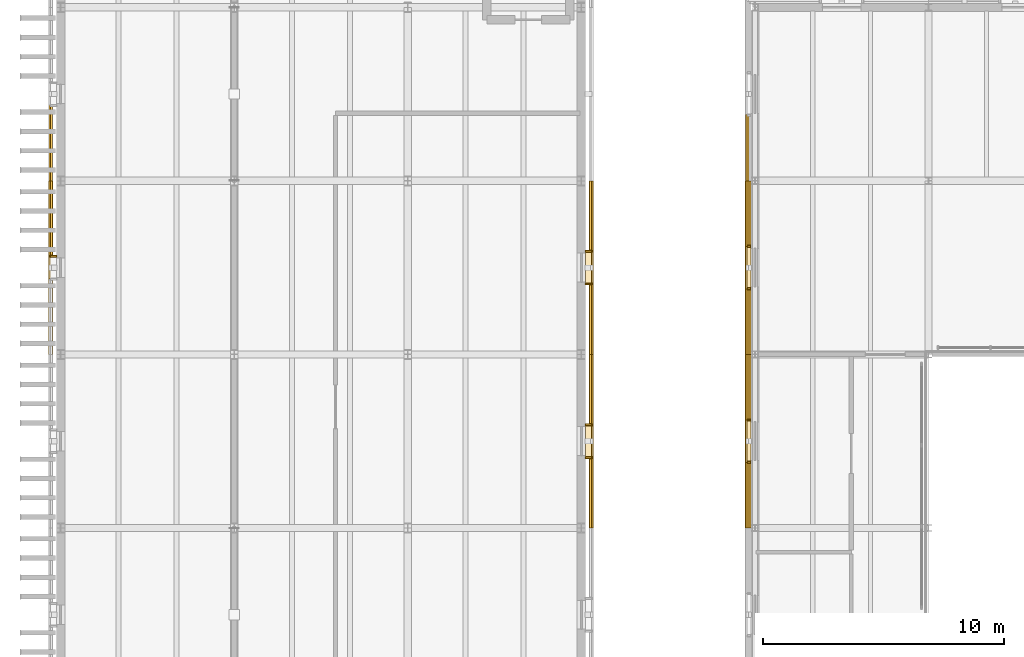
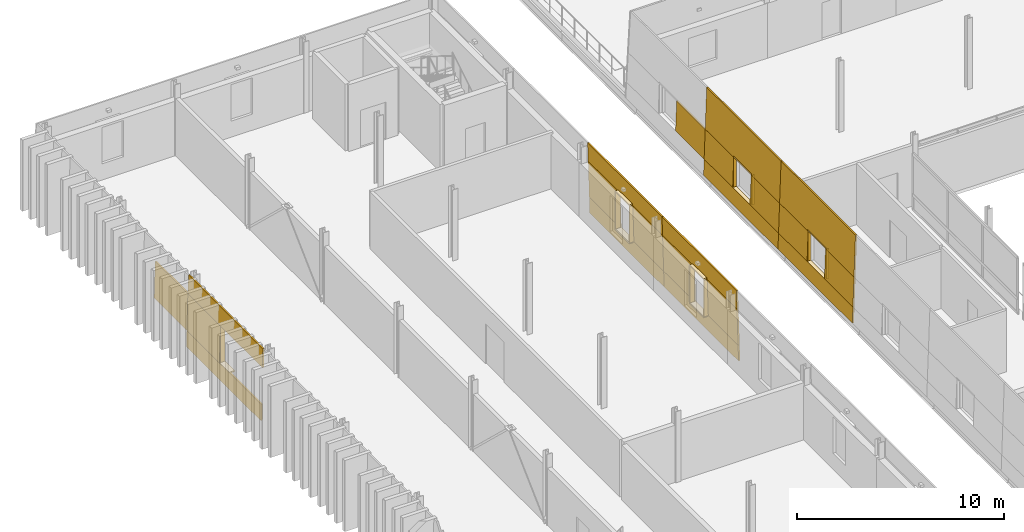
# One storey, part 62 of 66: 39 coverings.
"""IFC4 building model written with IfcOpenShell, lengths in metres."""

from ifc_helpers import new_model, si_unit, direction, frame, origin, place, context, subcontext, project, spatial, polyline, outline, extrude, material, layer, layer_set, type_object, element, save


model = new_model("IFC4")

# Units and contexts
model_context = context("Model", 3, precision=1e-05, world=origin(), true_north=direction((0.0, 1.0)))
body_context = subcontext(model_context, "Body", "Model", "MODEL_VIEW")
ifc_project = project(units=[si_unit("LENGTHUNIT", "METRE"), si_unit("AREAUNIT", "SQUARE_METRE"), si_unit("VOLUMEUNIT", "CUBIC_METRE"), si_unit("PLANEANGLEUNIT", "RADIAN"), si_unit("MASSUNIT", "GRAM", prefix="KILO")], contexts=[model_context])

# Site, building, storey
site_placement = place(None, origin())
site = spatial("IfcSite", under=ifc_project, at=site_placement, CompositionType="ELEMENT")
building_placement = place(site_placement, origin())
building = spatial("IfcBuilding", under=site, at=building_placement, Name="Narikvali Park Central Library", CompositionType="ELEMENT")
storey_placement = place(building_placement, frame((0.0, 0.0, 18.60009765625)))
storey = spatial("IfcBuildingStorey", under=building, at=storey_placement, Name="L04", CompositionType="ELEMENT", Elevation=18.60009765625)

# Coverings
ifc_material = material(Name="White Honed Limestone Cladding", Category="masonry")
ifc_layer_1 = layer(ifc_material, 0.0849609375, Name="White Honed Limestone Cladding")
ifc_layer_set_1 = layer_set([ifc_layer_1], Name="White Honed Limestone Cladding")
covering_type_1 = type_object("IfcCoveringType", Name="Battered White Limestone Facade Cladding Panel", PredefinedType="CLADDING", material=ifc_layer_set_1)
covering_1_placement = place(storey_placement, frame((28.41845703125, 96.360107421875, 0.949951171875), z_axis=(-0.999430578744, 0.0, 0.033741936392), x_axis=(0.0, -1.0, 0.0)))
element("IfcCovering", 1, at=covering_1_placement, inside=storey, type_object=covering_type_1, Name="V4 L04 W Battered Limestone Jamb Pier R B01", PredefinedType="CLADDING", context=body_context, shape_type="SweptSolid", body=[
    extrude(outline(polyline([(0.0, 0.0), (2.760009765625, 0.0), (2.760009765625, 1.750997054942305), (0.0, 1.750997054942305), (0.0, 0.0)])), origin(), (0.0, 0.0, -1.0), 0.0849609375),
])
covering_2_placement = place(storey_placement, frame((28.386474609375, 93.60009765625, 0.0), z_axis=(-0.999433733171, 0.0, 0.033648372924), x_axis=(0.0, -1.0, 0.0)))
element("IfcCovering", 2, at=covering_2_placement, inside=storey, type_object=covering_type_1, Name="V4 L04 W Battered Limestone Spandrel B02", PredefinedType="CLADDING", context=body_context, shape_type="SweptSolid", body=[
    extrude(outline(polyline([(0.0, 0.0), (7.2001953125, 0.0), (7.2001953125, 0.9504894024951969), (0.0, 0.9504894024951969), (0.0, 0.0)])), origin(), (0.0, 0.0, -1.0), 0.0849609375),
])
covering_3_placement = place(storey_placement, frame((28.4775390625, 93.60009765625, 2.699951171875), z_axis=(-0.999433239835, 0.0, 0.033663022926), x_axis=(0.0, -1.0, 0.0)))
element("IfcCovering", 3, at=covering_3_placement, inside=storey, type_object=covering_type_1, Name="V4 L04 W Battered Limestone Lintel B02", PredefinedType="CLADDING", context=body_context, shape_type="SweptSolid", body=[
    extrude(outline(polyline([(0.0, 0.0), (7.2001953125, 0.0), (7.2001953125, 2.4513404940173866), (0.0, 2.4513404940173866), (0.0, 0.0)])), origin(), (0.0, 0.0, -1.0), 0.0849609375),
])
for number, where, z_axis, x_axis, name in (
    (4, (28.41845703125, 93.60009765625, 0.949951171875), (-0.999430578744, 0.0, 0.033741936392), (0.0, -1.0, 0.0), "V4 L04 W Battered Limestone Jamb Pier L B02"),
    (5, (28.41845703125, 89.159912109375, 0.949951171875), (-0.999430578744, 0.0, 0.033741936392), (0.0, -1.0, 0.0), "V4 L04 W Battered Limestone Jamb Pier R B02"),
):
    element("IfcCovering", number, at=place(storey_placement, frame(where, z_axis=z_axis, x_axis=x_axis)), inside=storey, type_object=covering_type_1, Name=name, PredefinedType="CLADDING", context=body_context, shape_type="SweptSolid", body=[
        extrude(outline(polyline([(0.0, 0.0), (2.760009765625, 0.0), (2.760009765625, 1.750997054942305), (0.0, 1.750997054942305), (0.0, 0.0)])), origin(), (0.0, 0.0, -1.0), 0.0849609375),
    ])
covering_4_placement = place(storey_placement, frame((28.386474609375, 86.39990234375, 0.0), z_axis=(-0.999433733171, 0.0, 0.033648372924), x_axis=(0.0, -1.0, 0.0)))
element("IfcCovering", 6, at=covering_4_placement, inside=storey, type_object=covering_type_1, Name="V4 L04 W Battered Limestone Spandrel B03", PredefinedType="CLADDING", context=body_context, shape_type="SweptSolid", body=[
    extrude(outline(polyline([(0.0, 0.0), (7.199951171875, 0.0), (7.199951171875, 0.950489402495197), (0.0, 0.950489402495197), (0.0, 0.0)])), origin(), (0.0, 0.0, -1.0), 0.0849609375),
])
covering_5_placement = place(storey_placement, frame((28.4775390625, 86.39990234375, 2.699951171875), z_axis=(-0.999433239835, 0.0, 0.033663022926), x_axis=(0.0, -1.0, 0.0)))
element("IfcCovering", 7, at=covering_5_placement, inside=storey, type_object=covering_type_1, Name="V4 L04 W Battered Limestone Lintel B03", PredefinedType="CLADDING", context=body_context, shape_type="SweptSolid", body=[
    extrude(outline(polyline([(0.0, 0.0), (7.199951171875, 0.0), (7.199951171875, 2.451340494017387), (0.0, 2.451340494017387), (0.0, 0.0)])), origin(), (0.0, 0.0, -1.0), 0.0849609375),
])
for number, where, z_axis, x_axis, name in (
    (8, (28.41845703125, 86.39990234375, 0.949951171875), (-0.999430578744, 0.0, 0.033741936392), (0.0, -1.0, 0.0), "V4 L04 W Battered Limestone Jamb Pier L B03"),
    (9, (28.41845703125, 81.9599609375, 0.949951171875), (-0.999430578744, 0.0, 0.033741936392), (0.0, -1.0, 0.0), "V4 L04 W Battered Limestone Jamb Pier R B03"),
):
    element("IfcCovering", number, at=place(storey_placement, frame(where, z_axis=z_axis, x_axis=x_axis)), inside=storey, type_object=covering_type_1, Name=name, PredefinedType="CLADDING", context=body_context, shape_type="SweptSolid", body=[
        extrude(outline(polyline([(0.0, 0.0), (2.760009765625, 0.0), (2.760009765625, 1.750997054942305), (0.0, 1.750997054942305), (0.0, 0.0)])), origin(), (0.0, 0.0, -1.0), 0.0849609375),
    ])
covering_6_placement = place(storey_placement, frame((22.1123046875, 79.199951171875, 0.0), z_axis=(0.999600632529, 0.0, 0.02825907725), x_axis=(0.0, 1.0, 0.0)))
element("IfcCovering", 10, at=covering_6_placement, inside=storey, type_object=covering_type_1, Name="V5 L04 E Battered Limestone Spandrel B07", PredefinedType="CLADDING", context=body_context, shape_type="SweptSolid", body=[
    extrude(outline(polyline([(0.0, 0.0), (7.199951171875, 0.0), (7.199951171875, 0.9503307030441919), (0.0, 0.9503307030441919), (0.0, 0.0)])), origin(), (0.0, 0.0, -1.0), 0.0849609375),
])
covering_7_placement = place(storey_placement, frame((22.0244140625, 79.199951171875, 3.099853515625), z_axis=(0.999596777432, 0.0, 0.028395114849), x_axis=(0.0, 1.0, 0.0)))
element("IfcCovering", 11, at=covering_7_placement, inside=storey, type_object=covering_type_1, Name="V5 L04 E Battered Limestone Lintel B07", PredefinedType="CLADDING", context=body_context, shape_type="SweptSolid", body=[
    extrude(outline(polyline([(0.0, 0.0), (7.199951171875, 0.0), (7.199951171875, 1.1005414193871774), (0.0, 1.1005414193871774), (0.0, 0.0)])), origin(), (0.0, 0.0, -1.0), 0.0849609375),
])
for number, where, z_axis, x_axis, name in (
    (12, (22.08544921875, 79.199951171875, 0.949951171875), (0.99959725493, 0.0, 0.028378300447), (0.0, 1.0, 0.0), "V5 L04 E Battered Limestone Jamb Pier L B07"),
    (13, (22.08544921875, 83.43994140625, 0.949951171875), (0.99959725493, 0.0, 0.028378300447), (0.0, 1.0, 0.0), "V5 L04 E Battered Limestone Jamb Pier R B07"),
):
    element("IfcCovering", number, at=place(storey_placement, frame(where, z_axis=z_axis, x_axis=x_axis)), inside=storey, type_object=covering_type_1, Name=name, PredefinedType="CLADDING", context=body_context, shape_type="SweptSolid", body=[
        extrude(outline(polyline([(0.0, 0.0), (2.9599609375, 0.0), (2.9599609375, 2.150768555182125), (0.0, 2.150768555182125), (0.0, 0.0)])), origin(), (0.0, 0.0, -1.0), 0.0849609375),
    ])
covering_8_placement = place(storey_placement, frame((22.1123046875, 86.39990234375, 0.0), z_axis=(0.999600632529, 0.0, 0.02825907725), x_axis=(0.0, 1.0, 0.0)))
element("IfcCovering", 14, at=covering_8_placement, inside=storey, type_object=covering_type_1, Name="V5 L04 E Battered Limestone Spandrel B08", PredefinedType="CLADDING", context=body_context, shape_type="SweptSolid", body=[
    extrude(outline(polyline([(0.0, 0.0), (7.2001953125, 0.0), (7.2001953125, 0.950330703044192), (0.0, 0.950330703044192), (0.0, 0.0)])), origin(), (0.0, 0.0, -1.0), 0.0849609375),
])
covering_9_placement = place(storey_placement, frame((22.0244140625, 86.39990234375, 3.099853515625), z_axis=(0.999596777432, 0.0, 0.028395114849), x_axis=(0.0, 1.0, 0.0)))
element("IfcCovering", 15, at=covering_9_placement, inside=storey, type_object=covering_type_1, Name="V5 L04 E Battered Limestone Lintel B08", PredefinedType="CLADDING", context=body_context, shape_type="SweptSolid", body=[
    extrude(outline(polyline([(0.0, 0.0), (7.2001953125, 0.0), (7.2001953125, 1.1005414193871774), (0.0, 1.1005414193871774), (0.0, 0.0)])), origin(), (0.0, 0.0, -1.0), 0.0849609375),
])
for number, where, z_axis, x_axis, name in (
    (16, (22.08544921875, 86.39990234375, 0.949951171875), (0.99959725493, 0.0, 0.028378300447), (0.0, 1.0, 0.0), "V5 L04 E Battered Limestone Jamb Pier L B08"),
    (17, (22.08544921875, 90.639892578125, 0.949951171875), (0.99959725493, 0.0, 0.028378300447), (0.0, 1.0, 0.0), "V5 L04 E Battered Limestone Jamb Pier R B08"),
):
    element("IfcCovering", number, at=place(storey_placement, frame(where, z_axis=z_axis, x_axis=x_axis)), inside=storey, type_object=covering_type_1, Name=name, PredefinedType="CLADDING", context=body_context, shape_type="SweptSolid", body=[
        extrude(outline(polyline([(0.0, 0.0), (2.960205078125, 0.0), (2.960205078125, 2.150768555182125), (0.0, 2.150768555182125), (0.0, 0.0)])), origin(), (0.0, 0.0, -1.0), 0.0849609375),
    ])
covering_10_placement = place(storey_placement, frame((-0.4853515625, 96.760009765625, 0.949951171875), z_axis=(-0.99959725493, 0.0, 0.028378300447), x_axis=(0.0, -1.0, 0.0)))
element("IfcCovering", 18, at=covering_10_placement, inside=storey, type_object=covering_type_1, Name="V5 L04 W Battered Limestone Jamb Pier R B02", PredefinedType="CLADDING", context=body_context, shape_type="SweptSolid", body=[
    extrude(outline(polyline([(0.0, 0.0), (3.159912109375, 0.0), (3.159912109375, 2.150768555182125), (0.0, 2.150768555182125), (0.0, 0.0)])), origin(), (0.0, 0.0, -1.0), 0.0849609375),
])
covering_11_placement = place(storey_placement, frame((-0.51220703125, 93.60009765625, 0.0), z_axis=(-0.999600632529, 0.0, 0.02825907725), x_axis=(0.0, -1.0, 0.0)))
element("IfcCovering", 19, at=covering_11_placement, inside=storey, type_object=covering_type_1, Name="V5 L04 W Battered Limestone Spandrel B03", PredefinedType="CLADDING", context=body_context, shape_type="SweptSolid", body=[
    extrude(outline(polyline([(0.0, 0.0), (7.2001953125, 0.0), (7.2001953125, 0.950330703044192), (0.0, 0.950330703044192), (0.0, 0.0)])), origin(), (0.0, 0.0, -1.0), 0.0849609375),
])
covering_12_placement = place(storey_placement, frame((-0.42431640625, 93.60009765625, 3.099853515625), z_axis=(-0.999603049438, 0.0, 0.028173454789), x_axis=(0.0, -1.0, 0.0)))
element("IfcCovering", 20, at=covering_12_placement, inside=storey, type_object=covering_type_1, Name="V5 L04 W Battered Limestone Lintel B03", PredefinedType="CLADDING", context=body_context, shape_type="SweptSolid", body=[
    extrude(outline(polyline([(0.0, 0.0), (7.2001953125, 0.0), (7.2001953125, 1.100534514044119), (0.0, 1.100534514044119), (0.0, 0.0)])), origin(), (0.0, 0.0, -1.0), 0.0849609375),
])
covering_13_placement = place(storey_placement, frame((-0.4853515625, 93.60009765625, 0.949951171875), z_axis=(-0.99959725493, 0.0, 0.028378300447), x_axis=(0.0, -1.0, 0.0)))
element("IfcCovering", 21, at=covering_13_placement, inside=storey, type_object=covering_type_1, Name="V5 L04 W Battered Limestone Jamb Pier L B03", PredefinedType="CLADDING", context=body_context, shape_type="SweptSolid", body=[
    extrude(outline(polyline([(0.0, 0.0), (3.16015625, 0.0), (3.16015625, 2.150768555182125), (0.0, 2.150768555182125), (0.0, 0.0)])), origin(), (0.0, 0.0, -1.0), 0.0849609375),
])
ifc_layer_2 = layer(ifc_material, 0.080078125, Name="White Honed Limestone Cladding")
ifc_layer_set_2 = layer_set([ifc_layer_2], Name="White Honed Limestone Cladding")
covering_type_2 = type_object("IfcCoveringType", Name="Deep Carved White Limestone Window Reveal", PredefinedType="CLADDING", material=ifc_layer_set_2)
covering_14_placement = place(storey_placement, frame((0.0, 0.0, 2.699951171875)))
element("IfcCovering", 22, at=covering_14_placement, inside=storey, type_object=covering_type_2, Name="Deep Stone Reveal Head V4-RVL-L04-W-B02", PredefinedType="CLADDING", context=body_context, shape_type="SweptSolid", body=[
    extrude(outline(polyline([(28.635009765625, 90.8798828125), (28.635009765625, 89.1201171875), (28.4775390625, 89.1201171875), (28.4775390625, 90.8798828125), (28.635009765625, 90.8798828125)])), origin(), (0.0, 0.0, 1.0), 0.079833984375),
])
covering_15_placement = place(storey_placement, frame((0.0, 0.0, 0.869873046875)))
element("IfcCovering", 23, at=covering_15_placement, inside=storey, type_object=covering_type_2, Name="Deep Stone Reveal Sill V4-RVL-L04-W-B02", PredefinedType="CLADDING", context=body_context, shape_type="SweptSolid", body=[
    extrude(outline(polyline([(28.635009765625, 90.8798828125), (28.635009765625, 89.1201171875), (28.41845703125, 89.1201171875), (28.41845703125, 90.8798828125), (28.635009765625, 90.8798828125)])), origin(), (0.0, 0.0, 1.0), 0.080078125),
])
covering_16_placement = place(storey_placement, frame((0.0, 0.0, 0.949951171875)))
element("IfcCovering", 24, at=covering_16_placement, inside=storey, type_object=covering_type_2, Name="Deep Stone Reveal Jamb L V4-RVL-L04-W-B02", PredefinedType="CLADDING", context=body_context, shape_type="SweptSolid", body=[
    extrude(outline(polyline([(28.635009765625, 90.919921875), (28.635009765625, 90.840087890625), (28.4775390625, 90.840087890625), (28.4775390625, 90.919921875), (28.635009765625, 90.919921875)])), origin(), (0.0, 0.0, 1.0), 1.75),
])
covering_17_placement = place(storey_placement, frame((0.0, 0.0, 0.949951171875)))
element("IfcCovering", 25, at=covering_17_placement, inside=storey, type_object=covering_type_2, Name="Deep Stone Reveal Jamb R V4-RVL-L04-W-B02", PredefinedType="CLADDING", context=body_context, shape_type="SweptSolid", body=[
    extrude(outline(polyline([(28.635009765625, 89.159912109375), (28.635009765625, 89.080078125), (28.4775390625, 89.080078125), (28.4775390625, 89.159912109375), (28.635009765625, 89.159912109375)])), origin(), (0.0, 0.0, 1.0), 1.75),
])
covering_18_placement = place(storey_placement, frame((0.0, 0.0, 2.699951171875)))
element("IfcCovering", 26, at=covering_18_placement, inside=storey, type_object=covering_type_2, Name="Deep Stone Reveal Head V4-RVL-L04-W-B03", PredefinedType="CLADDING", context=body_context, shape_type="SweptSolid", body=[
    extrude(outline(polyline([(28.635009765625, 83.679931640625), (28.635009765625, 81.919921875), (28.4775390625, 81.919921875), (28.4775390625, 83.679931640625), (28.635009765625, 83.679931640625)])), origin(), (0.0, 0.0, 1.0), 0.079833984375),
])
covering_19_placement = place(storey_placement, frame((0.0, 0.0, 0.869873046875)))
element("IfcCovering", 27, at=covering_19_placement, inside=storey, type_object=covering_type_2, Name="Deep Stone Reveal Sill V4-RVL-L04-W-B03", PredefinedType="CLADDING", context=body_context, shape_type="SweptSolid", body=[
    extrude(outline(polyline([(28.635009765625, 83.679931640625), (28.635009765625, 81.919921875), (28.41845703125, 81.919921875), (28.41845703125, 83.679931640625), (28.635009765625, 83.679931640625)])), origin(), (0.0, 0.0, 1.0), 0.080078125),
])
covering_20_placement = place(storey_placement, frame((0.0, 0.0, 0.949951171875)))
element("IfcCovering", 28, at=covering_20_placement, inside=storey, type_object=covering_type_2, Name="Deep Stone Reveal Jamb L V4-RVL-L04-W-B03", PredefinedType="CLADDING", context=body_context, shape_type="SweptSolid", body=[
    extrude(outline(polyline([(28.635009765625, 83.719970703125), (28.635009765625, 83.639892578125), (28.4775390625, 83.639892578125), (28.4775390625, 83.719970703125), (28.635009765625, 83.719970703125)])), origin(), (0.0, 0.0, 1.0), 1.75),
])
covering_21_placement = place(storey_placement, frame((0.0, 0.0, 0.949951171875)))
element("IfcCovering", 29, at=covering_21_placement, inside=storey, type_object=covering_type_2, Name="Deep Stone Reveal Jamb R V4-RVL-L04-W-B03", PredefinedType="CLADDING", context=body_context, shape_type="SweptSolid", body=[
    extrude(outline(polyline([(28.635009765625, 81.9599609375), (28.635009765625, 81.8798828125), (28.4775390625, 81.8798828125), (28.4775390625, 81.9599609375), (28.635009765625, 81.9599609375)])), origin(), (0.0, 0.0, 1.0), 1.75),
])
covering_22_placement = place(storey_placement, frame((0.0, 0.0, 3.099853515625)))
element("IfcCovering", 30, at=covering_22_placement, inside=storey, type_object=covering_type_2, Name="Deep Stone Reveal Head V5-RVL-L04-E-B07", PredefinedType="CLADDING", context=body_context, shape_type="SweptSolid", body=[
    extrude(outline(polyline([(21.764892578125, 82.1201171875), (21.764892578125, 83.47998046875), (22.0244140625, 83.47998046875), (22.0244140625, 82.1201171875), (21.764892578125, 82.1201171875)])), origin(), (0.0, 0.0, 1.0), 0.080078125),
])
covering_23_placement = place(storey_placement, frame((0.0, 0.0, 0.869873046875)))
element("IfcCovering", 31, at=covering_23_placement, inside=storey, type_object=covering_type_2, Name="Deep Stone Reveal Sill V5-RVL-L04-E-B07", PredefinedType="CLADDING", context=body_context, shape_type="SweptSolid", body=[
    extrude(outline(polyline([(21.764892578125, 82.1201171875), (21.764892578125, 83.47998046875), (22.08544921875, 83.47998046875), (22.08544921875, 82.1201171875), (21.764892578125, 82.1201171875)])), origin(), (0.0, 0.0, 1.0), 0.080078125),
])
covering_24_placement = place(storey_placement, frame((0.0, 0.0, 0.949951171875)))
element("IfcCovering", 32, at=covering_24_placement, inside=storey, type_object=covering_type_2, Name="Deep Stone Reveal Jamb L V5-RVL-L04-E-B07", PredefinedType="CLADDING", context=body_context, shape_type="SweptSolid", body=[
    extrude(outline(polyline([(21.764892578125, 82.080078125), (21.764892578125, 82.159912109375), (22.0244140625, 82.159912109375), (22.0244140625, 82.080078125), (21.764892578125, 82.080078125)])), origin(), (0.0, 0.0, 1.0), 2.14990234375),
])
covering_25_placement = place(storey_placement, frame((0.0, 0.0, 0.949951171875)))
element("IfcCovering", 33, at=covering_25_placement, inside=storey, type_object=covering_type_2, Name="Deep Stone Reveal Jamb R V5-RVL-L04-E-B07", PredefinedType="CLADDING", context=body_context, shape_type="SweptSolid", body=[
    extrude(outline(polyline([(21.764892578125, 83.43994140625), (21.764892578125, 83.52001953125), (22.0244140625, 83.52001953125), (22.0244140625, 83.43994140625), (21.764892578125, 83.43994140625)])), origin(), (0.0, 0.0, 1.0), 2.14990234375),
])
covering_26_placement = place(storey_placement, frame((0.0, 0.0, 3.099853515625)))
element("IfcCovering", 34, at=covering_26_placement, inside=storey, type_object=covering_type_2, Name="Deep Stone Reveal Head V5-RVL-L04-E-B08", PredefinedType="CLADDING", context=body_context, shape_type="SweptSolid", body=[
    extrude(outline(polyline([(21.764892578125, 89.320068359375), (21.764892578125, 90.679931640625), (22.0244140625, 90.679931640625), (22.0244140625, 89.320068359375), (21.764892578125, 89.320068359375)])), origin(), (0.0, 0.0, 1.0), 0.080078125),
])
covering_27_placement = place(storey_placement, frame((0.0, 0.0, 0.869873046875)))
element("IfcCovering", 35, at=covering_27_placement, inside=storey, type_object=covering_type_2, Name="Deep Stone Reveal Sill V5-RVL-L04-E-B08", PredefinedType="CLADDING", context=body_context, shape_type="SweptSolid", body=[
    extrude(outline(polyline([(21.764892578125, 89.320068359375), (21.764892578125, 90.679931640625), (22.08544921875, 90.679931640625), (22.08544921875, 89.320068359375), (21.764892578125, 89.320068359375)])), origin(), (0.0, 0.0, 1.0), 0.080078125),
])
covering_28_placement = place(storey_placement, frame((0.0, 0.0, 0.949951171875)))
element("IfcCovering", 36, at=covering_28_placement, inside=storey, type_object=covering_type_2, Name="Deep Stone Reveal Jamb L V5-RVL-L04-E-B08", PredefinedType="CLADDING", context=body_context, shape_type="SweptSolid", body=[
    extrude(outline(polyline([(21.764892578125, 89.280029296875), (21.764892578125, 89.360107421875), (22.0244140625, 89.360107421875), (22.0244140625, 89.280029296875), (21.764892578125, 89.280029296875)])), origin(), (0.0, 0.0, 1.0), 2.14990234375),
])
covering_29_placement = place(storey_placement, frame((0.0, 0.0, 0.949951171875)))
element("IfcCovering", 37, at=covering_29_placement, inside=storey, type_object=covering_type_2, Name="Deep Stone Reveal Jamb R V5-RVL-L04-E-B08", PredefinedType="CLADDING", context=body_context, shape_type="SweptSolid", body=[
    extrude(outline(polyline([(21.764892578125, 90.639892578125), (21.764892578125, 90.719970703125), (22.0244140625, 90.719970703125), (22.0244140625, 90.639892578125), (21.764892578125, 90.639892578125)])), origin(), (0.0, 0.0, 1.0), 2.14990234375),
])
covering_30_placement = place(storey_placement, frame((0.0, 0.0, 0.869873046875)))
element("IfcCovering", 38, at=covering_30_placement, inside=storey, type_object=covering_type_2, Name="Deep Stone Reveal Sill V5-RVL-L04-W-B03", PredefinedType="CLADDING", context=body_context, shape_type="SweptSolid", body=[
    extrude(outline(polyline([(-0.1650390625, 90.47998046875), (-0.1650390625, 89.52001953125), (-0.4853515625, 89.52001953125), (-0.4853515625, 90.47998046875), (-0.1650390625, 90.47998046875)])), origin(), (0.0, 0.0, 1.0), 0.080078125),
])
covering_31_placement = place(storey_placement, frame((0.0, 0.0, 0.949951171875)))
element("IfcCovering", 39, at=covering_31_placement, inside=storey, type_object=covering_type_2, Name="Deep Stone Reveal Jamb L V5-RVL-L04-W-B03", PredefinedType="CLADDING", context=body_context, shape_type="SweptSolid", body=[
    extrude(outline(polyline([(-0.1650390625, 90.52001953125), (-0.1650390625, 90.43994140625), (-0.42431640625, 90.43994140625), (-0.42431640625, 90.52001953125), (-0.1650390625, 90.52001953125)])), origin(), (0.0, 0.0, 1.0), 2.14990234375),
])

save(model, "model.ifc")
